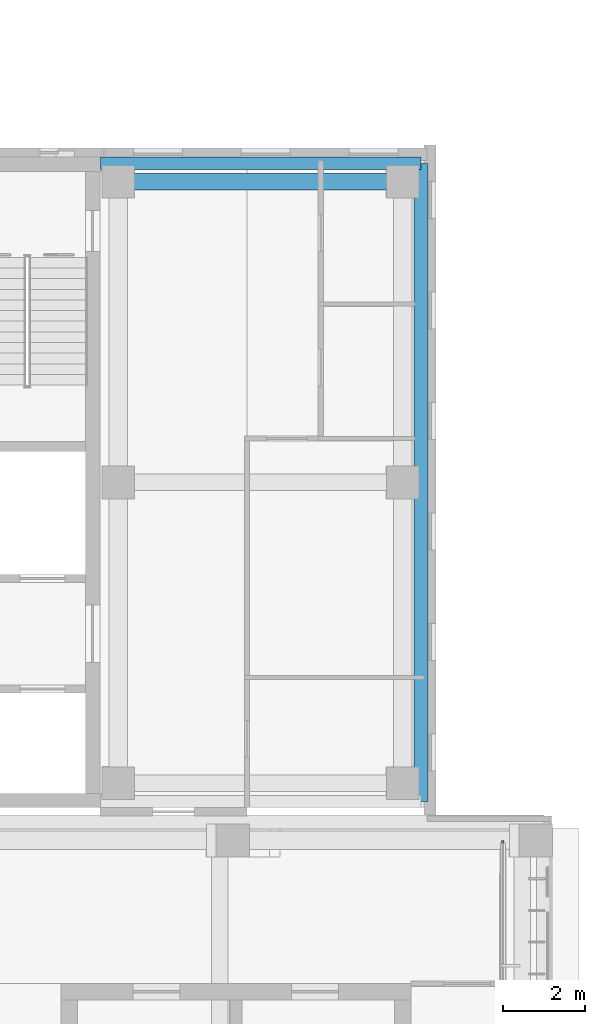
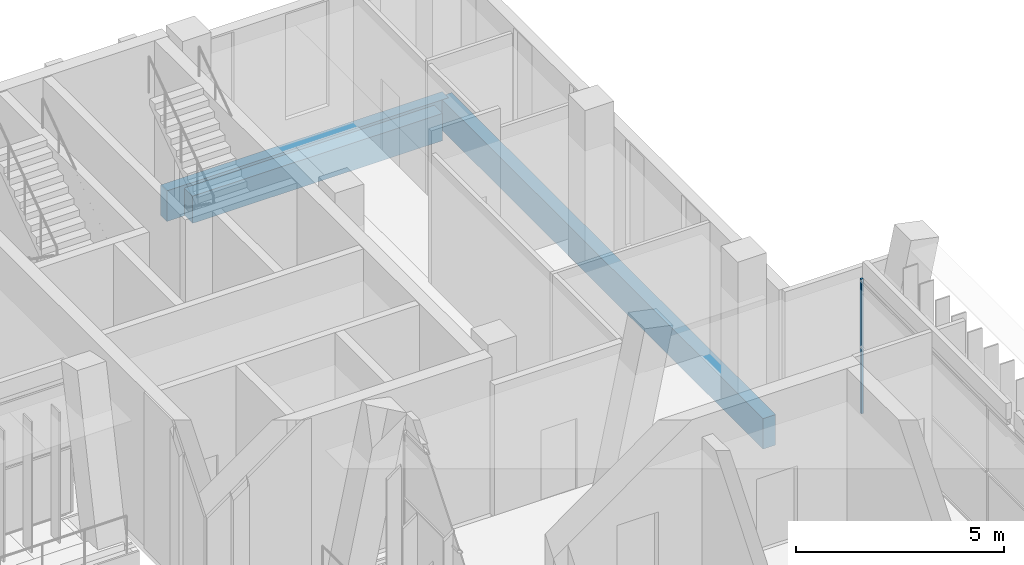
# One storey, part 48 of 89: 3 beams, 1 member, 1 element without a shape of its own.
"""IFC4 building model written with IfcOpenShell, lengths in metres."""

from ifc_helpers import new_model, si_unit, direction, frame, origin, origin_2d, place, context, subcontext, project, spatial, rectangle, extrude, material, material_profile, profile_set, type_object, element, aggregate, save


model = new_model("IFC4")

# Units and contexts
model_context = context("Model", 3, precision=1e-05, world=origin(), true_north=direction((0.0, 1.0)))
body_context = subcontext(model_context, "Body", "Model", "MODEL_VIEW")
ifc_project = project(units=[si_unit("LENGTHUNIT", "METRE"), si_unit("AREAUNIT", "SQUARE_METRE"), si_unit("VOLUMEUNIT", "CUBIC_METRE"), si_unit("PLANEANGLEUNIT", "RADIAN"), si_unit("MASSUNIT", "GRAM", prefix="KILO")], contexts=[model_context])

# Site, building, storey
site_placement = place(None, origin())
site = spatial("IfcSite", under=ifc_project, at=site_placement, CompositionType="ELEMENT")
building_placement = place(site_placement, origin())
building = spatial("IfcBuilding", under=site, at=building_placement, Name="Lantern Court Media Centre", CompositionType="ELEMENT")
storey_placement = place(building_placement, frame((0.0, 0.0, 14.39990234375)))
storey = spatial("IfcBuildingStorey", under=building, at=storey_placement, Name="L03", CompositionType="ELEMENT", Elevation=14.39990234375)

# Curtain wall, member
ifc_material_1 = material(Name="Curtain wall bay 3000")
curtain_wall_type = type_object("IfcCurtainWallType", Name="Curtain wall bay 3000", PredefinedType="NOTDEFINED", material=ifc_material_1)
curtain_wall_placement = place(storey_placement, origin())
curtain_wall = element("IfcCurtainWall", 1, at=curtain_wall_placement, inside=storey, type_object=curtain_wall_type, Name="Curtain wall E outer L03", PredefinedType="NOTDEFINED")
ifc_material_2 = material(Name="Anodised aluminium", Category="aluminium")
ifc_material_profile_1 = material_profile(ifc_material_2, rectangle(XDim=0.06005859375, YDim=0.06005859375, at=origin_2d()), Name="AL 60x60")
ifc_profile_set_1 = profile_set([ifc_material_profile_1], Name="Anodised aluminium")
member_type = type_object("IfcMemberType", Name="Curtain wall mullion 60x60", PredefinedType="MULLION", material=ifc_profile_set_1)
member_placement = place(storey_placement, frame((97.85009765625, 95.27001953125, 0.0), z_axis=(0.0, 0.0, 1.0), x_axis=(-1.0, 0.0, 0.0)))
member = element("IfcMember", 2, at=member_placement, type_object=member_type, Name="CW1 mullion 6", PredefinedType="MULLION", context=body_context, shape_type="SweptSolid", body=[
    extrude(rectangle(XDim=0.06005859375, YDim=0.06005859375, at=origin_2d()), origin(), (0.0, 0.0, 1.0), 3.9501953125),
])
aggregate(curtain_wall, [member])

# Beams
ifc_material_3 = material(Name="Concrete C35", Category="concrete")
ifc_material_profile_2 = material_profile(ifc_material_3, rectangle(XDim=0.300048828125, YDim=0.89990234375, at=origin_2d()), Name="RC 300x900")
ifc_profile_set_2 = profile_set([ifc_material_profile_2], Name="Concrete C35")
beam_type_1 = type_object("IfcBeamType", Name="RC BEAM 300x900", PredefinedType="BEAM", material=ifc_profile_set_2)
beam_1_placement = place(storey_placement, frame((88.02001953125, 111.85009765625, -0.449951171875), z_axis=(1.0, 0.0, 0.0), x_axis=(0.0, 1.0, 0.0)))
element("IfcBeam", 3, at=beam_1_placement, inside=storey, type_object=beam_type_1, Name="EB-NE-L03-N", PredefinedType="BEAM", context=body_context, shape_type="SweptSolid", body=[
    extrude(rectangle(XDim=0.300048828125, YDim=0.89990234375, at=origin_2d()), origin(), (0.0, 0.0, 1.0), 7.830078125),
])
ifc_material_profile_3 = material_profile(ifc_material_3, rectangle(XDim=0.35009765625, YDim=0.89990234375, at=origin_2d()), Name="RC 350x900")
ifc_profile_set_3 = profile_set([ifc_material_profile_3], Name="Concrete C35")
beam_type_2 = type_object("IfcBeamType", Name="RC BEAM 350x900", PredefinedType="BEAM", material=ifc_profile_set_3)
beam_2_placement = place(storey_placement, frame((95.85009765625, 96.25, -0.449951171875), z_axis=(0.0, 1.0, 0.0), x_axis=(-1.0, 0.0, 0.0)))
element("IfcBeam", 4, at=beam_2_placement, inside=storey, type_object=beam_type_2, Name="EB-NE-L03-E", PredefinedType="BEAM", context=body_context, shape_type="SweptSolid", body=[
    extrude(rectangle(XDim=0.35009765625, YDim=0.89990234375, at=origin_2d()), origin(), (0.0, 0.0, 1.0), 15.60009765625),
])
ifc_material_profile_4 = material_profile(ifc_material_3, rectangle(XDim=0.39990234375, YDim=0.800048828125, at=origin_2d()), Name="RC 400x800")
ifc_profile_set_4 = profile_set([ifc_material_profile_4], Name="Concrete C35")
beam_type_3 = type_object("IfcBeamType", Name="RC BEAM 400x800", PredefinedType="BEAM", material=ifc_profile_set_4)
beam_3_placement = place(storey_placement, frame((88.449951171875, 111.39990234375, -0.39990234375), z_axis=(1.0, 0.0, 0.0), x_axis=(0.0, 1.0, 0.0)))
element("IfcBeam", 5, at=beam_3_placement, inside=storey, type_object=beam_type_3, Name="BB-NE-L03-Y0-111", PredefinedType="BEAM", context=body_context, shape_type="SweptSolid", body=[
    extrude(rectangle(XDim=0.39990234375, YDim=0.800048828125, at=origin_2d()), origin(), (0.0, 0.0, 1.0), 6.949951171875),
])

save(model, "model.ifc")
